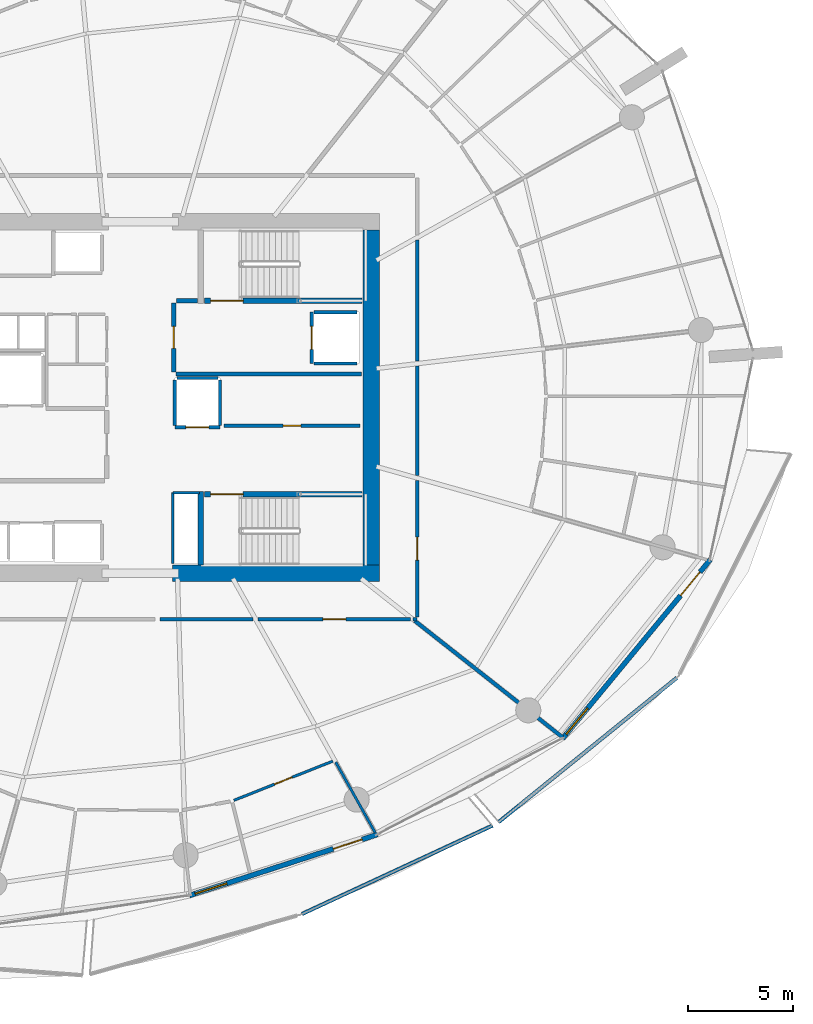
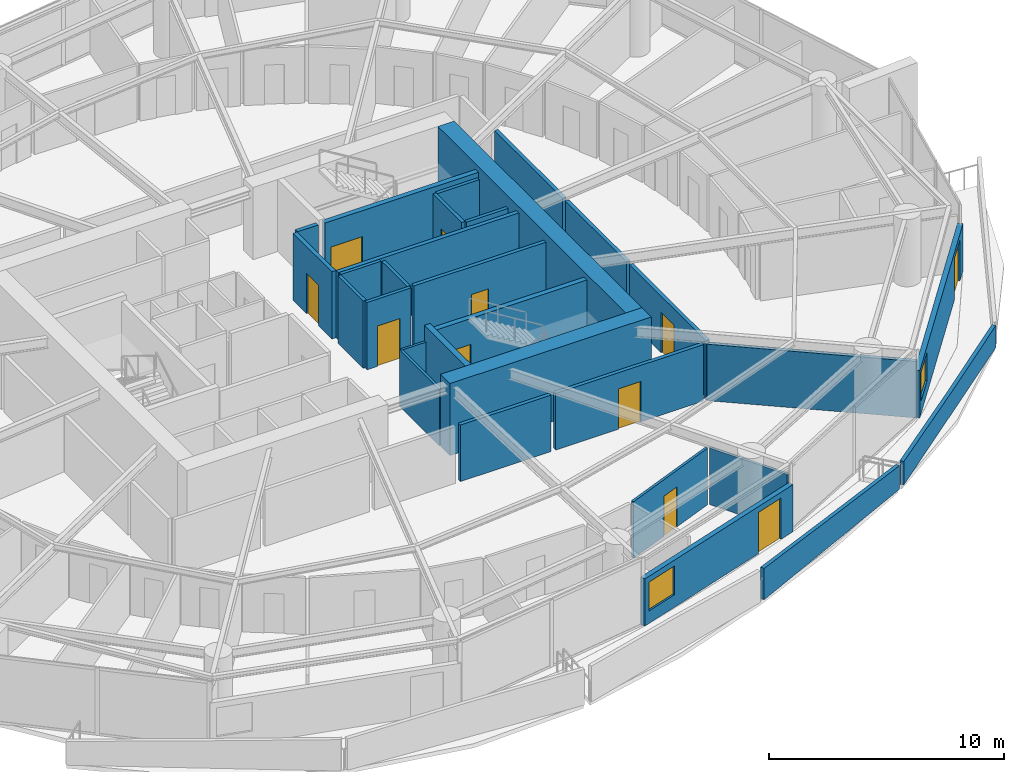
# One storey, part 13 of 23: 31 walls, 11 doors, 2 windows, 13 openings.
"""IFC4 building model written with IfcOpenShell, lengths in metres."""

from ifc_helpers import new_model, si_unit, direction, frame, frame_2d, origin, place, context, subcontext, project, spatial, polyline, rectangle, outline, extrude, material, layer, layer_set, type_object, element, fill, save


model = new_model("IFC4")

# Units and contexts
model_context = context("Model", 3, precision=1e-05, world=origin(), true_north=direction((0.0, 1.0)))
body_context = subcontext(model_context, "Body", "Model", "MODEL_VIEW")
ifc_project = project(units=[si_unit("LENGTHUNIT", "METRE"), si_unit("AREAUNIT", "SQUARE_METRE"), si_unit("VOLUMEUNIT", "CUBIC_METRE"), si_unit("PLANEANGLEUNIT", "RADIAN"), si_unit("MASSUNIT", "GRAM", prefix="KILO")], contexts=[model_context])

# Site, building, storey
site_placement = place(None, origin())
site = spatial("IfcSite", under=ifc_project, at=site_placement, CompositionType="ELEMENT")
building_placement = place(site_placement, origin())
building = spatial("IfcBuilding", under=site, at=building_placement, Name="Kazma Halo Residences", CompositionType="ELEMENT")
storey_placement = place(building_placement, frame((0.0, 0.0, 108.89990234375)))
storey = spatial("IfcBuildingStorey", under=building, at=storey_placement, Name="L27", CompositionType="ELEMENT", Elevation=108.89990234375)

# Walls
ifc_material_1 = material(Name="White Concrete C50/60 Balustrade", Category="concrete")
ifc_layer_1 = layer(ifc_material_1, 0.179931640625)
ifc_layer_set_1 = layer_set([ifc_layer_1], Name="White Concrete C50/60 Balustrade")
wall_type_1 = type_object("IfcWallType", Name="WL-BAL-WAVE-180", PredefinedType="PARAPET", material=ifc_layer_set_1)
wall_1_placement = place(storey_placement, frame((56.1435546875, 17.32177734375, 0.0), z_axis=(0.0, 0.0, 1.0), x_axis=(0.907065674135, 0.420989148086, 0.0)))
element("IfcWall", 1, at=wall_1_placement, inside=storey, type_object=wall_type_1, Name="L27 white wave balustrade wall SSE.2", PredefinedType="PARAPET", context=body_context, shape_type="SweptSolid", body=[
    extrude(outline(polyline([(0.0, 0.0), (10.041259765625, 0.0), (10.04150390625, 1.233154296875), (5.020751953125, 1.418212890625), (0.0, 1.632080078125), (0.0, 0.0)])), frame((0.0, 0.08984375, 0.0), z_axis=(0.0, -1.0, 0.0), x_axis=(1.0, 0.0, 0.0)), (0.0, 0.0, 1.0), 0.179931640625),
])
wall_2_placement = place(storey_placement, frame((65.541015625, 21.714599609375, 0.0), z_axis=(0.0, 0.0, 1.0), x_axis=(0.777242274281, 0.629201436005, 0.0)))
element("IfcWall", 2, at=wall_2_placement, inside=storey, type_object=wall_type_1, Name="L27 white wave balustrade wall SE.1", PredefinedType="PARAPET", context=body_context, shape_type="SweptSolid", body=[
    extrude(outline(polyline([(0.0, 0.0), (10.94873046875, 0.0), (10.94873046875, 1.148193359375), (5.474365234375, 1.127197265625), (0.0, 1.22412109375), (0.0, 0.0)])), frame((0.0, 0.08984375, 0.0), z_axis=(0.0, -1.0, 0.0), x_axis=(1.0, 0.0, 0.0)), (0.0, 0.0, 1.0), 0.179931640625),
])
ifc_material_2 = material(Name="Concrete C80/95", Category="concrete")
ifc_layer_2 = layer(ifc_material_2, 0.800048828125)
ifc_layer_set_2 = layer_set([ifc_layer_2], Name="Concrete C80/95")
wall_type_2 = type_object("IfcWallType", Name="WL-CORE-800", PredefinedType="SHEAR", material=ifc_layer_set_2)
wall_3_placement = place(storey_placement, frame((49.949951171875, 33.60009765625, 0.0), z_axis=(0.0, 0.0, 1.0), x_axis=(1.0, 0.0, 0.0)))
element("IfcWall", 3, at=wall_3_placement, inside=storey, type_object=wall_type_2, Name="L27 central core shear wall SE", PredefinedType="SHEAR", context=body_context, shape_type="SweptSolid", body=[
    extrude(rectangle(XDim=9.900146484375, YDim=0.800048828125, at=frame_2d((4.9501953125, 0.0))), origin(), (0.0, 0.0, 1.0), 3.75),
])
wall_4_placement = place(storey_placement, frame((59.449951171875, 34.0, 0.0), z_axis=(0.0, 0.0, 1.0), x_axis=(0.0, 1.0, 0.0)))
element("IfcWall", 4, at=wall_4_placement, inside=storey, type_object=wall_type_2, Name="L27 central core shear wall E", PredefinedType="SHEAR", context=body_context, shape_type="SweptSolid", body=[
    extrude(rectangle(XDim=16.0, YDim=0.800048828125, at=frame_2d((8.0, 0.0))), origin(), (0.0, 0.0, 1.0), 3.75),
])
ifc_material_3 = material(Name="Concrete C60/75", Category="concrete")
ifc_layer_3 = layer(ifc_material_3, 0.280029296875)
ifc_layer_set_3 = layer_set([ifc_layer_3], Name="Concrete C60/75")
wall_type_3 = type_object("IfcWallType", Name="WL-CORE-ST-280", PredefinedType="SHEAR", material=ifc_layer_set_3)
wall_5_placement = place(storey_placement, frame((51.31005859375, 34.0, 0.0), z_axis=(0.0, 0.0, 1.0), x_axis=(0.0, 1.0, 0.0)))
element("IfcWall", 5, at=wall_5_placement, inside=storey, type_object=wall_type_3, Name="L27 stairwell bearing wall ST03-W", PredefinedType="SHEAR", context=body_context, shape_type="SweptSolid", body=[
    extrude(rectangle(XDim=3.5, YDim=0.280029296875, at=frame_2d((1.75, 0.0))), origin(), (0.0, 0.0, 1.0), 3.75),
])
ifc_material_4 = material(Name="Acoustic Twin-Stud Gypsum")
ifc_layer_4 = layer(ifc_material_4, 0.179931640625)
ifc_layer_set_4 = layer_set([ifc_layer_4], Name="Acoustic Twin-Stud Gypsum")
wall_type_4 = type_object("IfcWallType", Name="WL-DEM-180", PredefinedType="PARTITIONING", material=ifc_layer_set_4)
wall_6_placement = place(storey_placement, frame((61.532470703125, 31.331787109375, 0.0), z_axis=(0.0, 0.0, 1.0), x_axis=(0.785307944478, -0.619105348337, 0.0)))
element("IfcWall", 6, at=wall_6_placement, inside=storey, type_object=wall_type_4, Name="L27 apartment demising radial wall 13", PredefinedType="PARTITIONING", context=body_context, shape_type="SweptSolid", body=[
    extrude(rectangle(XDim=9.006103515625, YDim=0.179931640625, at=frame_2d((4.5029296875, 0.0))), origin(), (0.0, 0.0, 1.0), 2.940185546875),
])

# Wall, opening, door
wall_7_placement = place(storey_placement, frame((54.056396484375, 31.39990234375, 0.0), z_axis=(0.0, 0.0, 1.0), x_axis=(1.0, 0.0, 0.0)))
wall_7 = element("IfcWall", 7, at=wall_7_placement, inside=storey, type_object=wall_type_4, Name="L27 Apartment 2 entrance corridor wall", PredefinedType="PARTITIONING", context=body_context, shape_type="SweptSolid", body=[
    extrude(rectangle(XDim=7.26953125, YDim=0.179931640625, at=frame_2d((3.634765625, 0.0))), origin(), (0.0, 0.0, 1.0), 2.940185546875),
])
opening_1_placement = place(wall_7_placement, frame((3.0849609375, 0.0, 0.0)))
opening_1 = element("IfcOpeningElement", 8, at=opening_1_placement, cuts=wall_7, Name="Opening DA-1100", PredefinedType="OPENING", context=body_context, shape_type="SweptSolid", body=[
    extrude(rectangle(XDim=1.10009765625, YDim=2.10009765625, at=frame_2d((0.550048828125, 1.050048828125))), frame((0.0, 0.099853515625, 0.0), z_axis=(0.0, -1.0, 0.0), x_axis=(1.0, 0.0, 0.0)), (0.0, 0.0, 1.0), 0.199951171875),
])
ifc_material_5 = material(Name="Acoustic Walnut Fire Leaf")
door_type_1 = type_object("IfcDoorType", Name="DR-FD60-1100", OperationType="NOTDEFINED", PredefinedType="DOOR", material=ifc_material_5)
door_1_placement = place(opening_1_placement, origin())
door_1 = element("IfcDoor", 9, at=door_1_placement, inside=storey, type_object=door_type_1, Name="L27 Apartment 2 entrance fire door", OperationType="SINGLE_SWING_RIGHT", OverallHeight=2.10009765625, OverallWidth=1.10009765625, PredefinedType="DOOR", context=body_context, shape_type="SweptSolid", body=[
    extrude(rectangle(XDim=1.10009765625, YDim=2.10009765625, at=frame_2d((0.550048828125, 1.050048828125))), frame((0.0, 0.02490234375, 0.0), z_axis=(0.0, -1.0, 0.0), x_axis=(1.0, 0.0, 0.0)), (0.0, 0.0, 1.0), 0.050048828125),
])
fill(opening_1, door_1)

# Walls
wall_8_placement = place(storey_placement, frame((49.37451171875, 31.39990234375, 0.0), z_axis=(0.0, 0.0, 1.0), x_axis=(1.0, 0.0, 0.0)))
element("IfcWall", 10, at=wall_8_placement, inside=storey, type_object=wall_type_4, Name="L27 Apartment 2 inner wall 11", PredefinedType="PARTITIONING", context=body_context, shape_type="SweptSolid", body=[
    extrude(rectangle(XDim=4.44189453125, YDim=0.179931640625, at=frame_2d((2.220947265625, 0.0))), origin(), (0.0, 0.0, 1.0), 2.940185546875),
])
wall_9_placement = place(storey_placement, frame((61.446044921875, 31.39990234375, 0.0), z_axis=(0.0, 0.0, 1.0), x_axis=(1.0, 0.0, 0.0)))
element("IfcWall", 11, at=wall_9_placement, inside=storey, type_object=wall_type_4, Name="L27 Apartment 3 entrance corridor wall", PredefinedType="PARTITIONING", context=body_context, shape_type="SweptSolid", body=[
    extrude(rectangle(XDim=0.203857421875, YDim=0.179931640625, at=frame_2d((0.10205078125, 0.0))), origin(), (0.0, 0.0, 1.0), 2.940185546875),
])

# Wall, opening, door
wall_10_placement = place(storey_placement, frame((61.64990234375, 31.52001953125, 0.0), z_axis=(0.0, 0.0, 1.0), x_axis=(0.0, 1.0, 0.0)))
wall_10 = element("IfcWall", 12, at=wall_10_placement, inside=storey, type_object=wall_type_4, Name="L27 Apartment 3 entrance corridor wall", PredefinedType="PARTITIONING", context=body_context, shape_type="SweptSolid", body=[
    extrude(rectangle(XDim=6.51025390625, YDim=0.179931640625, at=frame_2d((3.255126953125, 0.0))), origin(), (0.0, 0.0, 1.0), 2.940185546875),
])
opening_2_placement = place(wall_10_placement, frame((2.705078125, 0.0, 0.0)))
opening_2 = element("IfcOpeningElement", 13, at=opening_2_placement, cuts=wall_10, Name="Opening DA-1100", PredefinedType="OPENING", context=body_context, shape_type="SweptSolid", body=[
    extrude(rectangle(XDim=1.10009765625, YDim=2.10009765625, at=frame_2d((0.550048828125, 1.050048828125))), frame((0.0, 0.099853515625, 0.0), z_axis=(0.0, -1.0, 0.0), x_axis=(1.0, 0.0, 0.0)), (0.0, 0.0, 1.0), 0.199951171875),
])
door_2_placement = place(opening_2_placement, origin())
door_2 = element("IfcDoor", 14, at=door_2_placement, inside=storey, type_object=door_type_1, Name="L27 Apartment 3 entrance fire door", OperationType="SINGLE_SWING_LEFT", OverallHeight=2.10009765625, OverallWidth=1.10009765625, PredefinedType="DOOR", context=body_context, shape_type="SweptSolid", body=[
    extrude(rectangle(XDim=1.10009765625, YDim=2.10009765625, at=frame_2d((0.550048828125, 1.050048828125))), frame((0.0, 0.02490234375, 0.0), z_axis=(0.0, -1.0, 0.0), x_axis=(1.0, 0.0, 0.0)), (0.0, 0.0, 1.0), 0.050048828125),
])
fill(opening_2, door_2)

# Walls
wall_11_placement = place(storey_placement, frame((61.64990234375, 38.270263671875, 0.0), z_axis=(0.0, 0.0, 1.0), x_axis=(0.0, 1.0, 0.0)))
element("IfcWall", 15, at=wall_11_placement, inside=storey, type_object=wall_type_4, Name="L27 Apartment 3 inner wall 14", PredefinedType="PARTITIONING", context=body_context, shape_type="SweptSolid", body=[
    extrude(rectangle(XDim=5.225341796875, YDim=0.179931640625, at=frame_2d((2.61279296875, 0.0))), origin(), (0.0, 0.0, 1.0), 2.940185546875),
])
wall_12_placement = place(storey_placement, frame((61.64990234375, 43.735595703125, 0.0), z_axis=(0.0, 0.0, 1.0), x_axis=(0.0, 1.0, 0.0)))
element("IfcWall", 16, at=wall_12_placement, inside=storey, type_object=wall_type_4, Name="L27 Apartment 3 inner wall 15", PredefinedType="PARTITIONING", context=body_context, shape_type="SweptSolid", body=[
    extrude(rectangle(XDim=5.788818359375, YDim=0.179931640625, at=frame_2d((2.89453125, 0.0))), origin(), (0.0, 0.0, 1.0), 2.940185546875),
])

# Wall, openings, door, window
ifc_material_6 = material(Name="Insulated Pale-Metal Composite Wall")
ifc_layer_5 = layer(ifc_material_6, 0.239990234375)
ifc_layer_set_5 = layer_set([ifc_layer_5], Name="Insulated Pale-Metal Composite Wall")
wall_type_5 = type_object("IfcWallType", Name="WL-EXT-HOST-240", PredefinedType="SOLIDWALL", material=ifc_layer_set_5)
wall_13_placement = place(storey_placement, frame((50.76708984375, 18.202880859375, 0.0), z_axis=(0.0, 0.0, 1.0), x_axis=(0.951052494852, 0.30902937083, 0.0)))
wall_13 = element("IfcWall", 17, at=wall_13_placement, inside=storey, type_object=wall_type_5, Name="L27 exterior terrace-access wall B12", PredefinedType="SOLIDWALL", context=body_context, shape_type="SweptSolid", body=[
    extrude(rectangle(XDim=9.44384765625, YDim=0.239990234375, at=frame_2d((4.721923828125, 0.0))), origin(), (0.0, 0.0, 1.0), 2.4501953125),
])
opening_3_placement = place(wall_13_placement, frame((7.223876953125, 0.0, 0.0)))
opening_3 = element("IfcOpeningElement", 18, at=opening_3_placement, cuts=wall_13, Name="Opening DTR-1600", PredefinedType="OPENING", context=body_context, shape_type="SweptSolid", body=[
    extrude(rectangle(XDim=1.449951171875, YDim=2.14990234375, at=frame_2d((0.72509765625, 1.074951171875))), frame((0.0, 0.1298828125, 0.0), z_axis=(0.0, -1.0, 0.0), x_axis=(1.0, 0.0, 0.0)), (0.0, 0.0, 1.0), 0.260009765625),
])
opening_4_placement = place(wall_13_placement, frame((0.280029296875, 0.0, 0.64990234375)))
opening_4 = element("IfcOpeningElement", 19, at=opening_4_placement, cuts=wall_13, Name="Opening W-1800", PredefinedType="OPENING", context=body_context, shape_type="SweptSolid", body=[
    extrude(rectangle(XDim=1.60009765625, YDim=1.5, at=frame_2d((0.800048828125, 0.75))), frame((0.0, 0.1298828125, 0.0), z_axis=(0.0, -1.0, 0.0), x_axis=(1.0, 0.0, 0.0)), (0.0, 0.0, 1.0), 0.260009765625),
])
ifc_material_7 = material(Name="Aluminium AW-6063 T6 Double-Glazed Terrace Door", Category="aluminium")
door_type_2 = type_object("IfcDoorType", Name="DR-EXT-TERR-1600", OperationType="NOTDEFINED", PredefinedType="DOOR", material=ifc_material_7)
door_3_placement = place(opening_3_placement, origin())
door_3 = element("IfcDoor", 20, at=door_3_placement, inside=storey, type_object=door_type_2, Name="L27 B12 balcony terrace door", OperationType="DOUBLE_DOOR_SLIDING", OverallHeight=2.14990234375, OverallWidth=1.449951171875, PredefinedType="DOOR", context=body_context, shape_type="SweptSolid", body=[
    extrude(rectangle(XDim=1.449951171875, YDim=2.14990234375, at=frame_2d((0.72509765625, 1.074951171875))), frame((0.0, 0.02490234375, 0.0), z_axis=(0.0, -1.0, 0.0), x_axis=(1.0, 0.0, 0.0)), (0.0, 0.0, 1.0), 0.050048828125),
])
fill(opening_3, door_3)
ifc_material_8 = material(Name="Clear Triple-Silver Low-E Glass in Aluminium AW-6063 T6 Frame", Category="aluminium")
window_type = type_object("IfcWindowType", Name="WIN-RES-1800", PartitioningType="DOUBLE_PANEL_VERTICAL", PredefinedType="WINDOW", material=ifc_material_8)
window_1_placement = place(opening_4_placement, origin())
window_1 = element("IfcWindow", 21, at=window_1_placement, inside=storey, type_object=window_type, Name="L27 B12 apartment window", OverallHeight=1.5, OverallWidth=1.60009765625, PartitioningType="SINGLE_PANEL", PredefinedType="WINDOW", context=body_context, shape_type="SweptSolid", body=[
    extrude(rectangle(XDim=1.60009765625, YDim=1.5, at=frame_2d((0.800048828125, 0.75))), frame((0.0, 0.030029296875, 0.0), z_axis=(0.0, -1.0, 0.0), x_axis=(1.0, 0.0, 0.0)), (0.0, 0.0, 1.0), 0.06005859375),
])
fill(opening_4, window_1)

wall_14_placement = place(storey_placement, frame((68.593017578125, 25.7021484375, 0.0), z_axis=(0.0, 0.0, 1.0), x_axis=(0.636704975, 0.771107498868, 0.0)))
wall_14 = element("IfcWall", 22, at=wall_14_placement, inside=storey, type_object=wall_type_5, Name="L27 exterior terrace-access wall B14", PredefinedType="SOLIDWALL", context=body_context, shape_type="SweptSolid", body=[
    extrude(rectangle(XDim=11.084228515625, YDim=0.239990234375, at=frame_2d((5.5419921875, 0.0))), origin(), (0.0, 0.0, 1.0), 2.4501953125),
])
opening_5_placement = place(wall_14_placement, frame((8.8642578125, 0.0, 0.0)))
opening_5 = element("IfcOpeningElement", 23, at=opening_5_placement, cuts=wall_14, Name="Opening DTR-1600", PredefinedType="OPENING", context=body_context, shape_type="SweptSolid", body=[
    extrude(rectangle(XDim=1.449951171875, YDim=2.14990234375, at=frame_2d((0.72509765625, 1.074951171875))), frame((0.0, 0.1298828125, 0.0), z_axis=(0.0, -1.0, 0.0), x_axis=(1.0, 0.0, 0.0)), (0.0, 0.0, 1.0), 0.260009765625),
])
opening_6_placement = place(wall_14_placement, frame((0.280029296875, 0.0, 0.64990234375)))
opening_6 = element("IfcOpeningElement", 24, at=opening_6_placement, cuts=wall_14, Name="Opening W-1800", PredefinedType="OPENING", context=body_context, shape_type="SweptSolid", body=[
    extrude(rectangle(XDim=1.60009765625, YDim=1.5, at=frame_2d((0.800048828125, 0.75))), frame((0.0, 0.1298828125, 0.0), z_axis=(0.0, -1.0, 0.0), x_axis=(1.0, 0.0, 0.0)), (0.0, 0.0, 1.0), 0.260009765625),
])
door_4_placement = place(opening_5_placement, origin())
door_4 = element("IfcDoor", 25, at=door_4_placement, inside=storey, type_object=door_type_2, Name="L27 B14 balcony terrace door", OperationType="DOUBLE_DOOR_SLIDING", OverallHeight=2.14990234375, OverallWidth=1.449951171875, PredefinedType="DOOR", context=body_context, shape_type="SweptSolid", body=[
    extrude(rectangle(XDim=1.449951171875, YDim=2.14990234375, at=frame_2d((0.72509765625, 1.074951171875))), frame((0.0, 0.02490234375, 0.0), z_axis=(0.0, -1.0, 0.0), x_axis=(1.0, 0.0, 0.0)), (0.0, 0.0, 1.0), 0.050048828125),
])
fill(opening_5, door_4)
window_2_placement = place(opening_6_placement, origin())
window_2 = element("IfcWindow", 26, at=window_2_placement, inside=storey, type_object=window_type, Name="L27 B14 apartment window", OverallHeight=1.5, OverallWidth=1.60009765625, PartitioningType="SINGLE_PANEL", PredefinedType="WINDOW", context=body_context, shape_type="SweptSolid", body=[
    extrude(rectangle(XDim=1.60009765625, YDim=1.5, at=frame_2d((0.800048828125, 0.75))), frame((0.0, 0.030029296875, 0.0), z_axis=(0.0, -1.0, 0.0), x_axis=(1.0, 0.0, 0.0)), (0.0, 0.0, 1.0), 0.06005859375),
])
fill(opening_6, window_2)

# Wall, opening, door
ifc_material_9 = material(Name="Fire-Rated Blockwork Masonry", Category="masonry")
ifc_layer_6 = layer(ifc_material_9, 0.199951171875)
ifc_layer_set_6 = layer_set([ifc_layer_6], Name="Fire-Rated Blockwork Masonry")
wall_type_6 = type_object("IfcWallType", Name="WL-FLB-200", PredefinedType="PARTITIONING", material=ifc_layer_set_6)
wall_15_placement = place(storey_placement, frame((56.6201171875, 46.080078125, 0.0), z_axis=(0.0, 0.0, 1.0), x_axis=(0.0, -1.0, 0.0)))
wall_15 = element("IfcWall", 27, at=wall_15_placement, inside=storey, type_object=wall_type_6, Name="L27 lift shaft FL-02 front wall", PredefinedType="PARTITIONING", context=body_context, shape_type="SweptSolid", body=[
    extrude(rectangle(XDim=2.4599609375, YDim=0.159912109375, at=frame_2d((1.22998046875, 0.0))), origin(), (0.0, 0.0, 1.0), 3.5),
])
opening_7_placement = place(wall_15_placement, frame((0.679931640625, 0.0, 0.0)))
opening_7 = element("IfcOpeningElement", 28, at=opening_7_placement, cuts=wall_15, Name="Opening LD-FL-02", PredefinedType="OPENING", context=body_context, shape_type="SweptSolid", body=[
    extrude(rectangle(XDim=1.10009765625, YDim=2.10009765625, at=frame_2d((0.550048828125, 1.050048828125))), frame((0.0, 0.08984375, 0.0), z_axis=(0.0, -1.0, 0.0), x_axis=(1.0, 0.0, 0.0)), (0.0, 0.0, 1.0), 0.179931640625),
])
ifc_material_10 = material(Name="Stainless Steel Fire-Rated", Category="steel")
door_type_3 = type_object("IfcDoorType", Name="DR-LIFT-SLD-1100", OperationType="DOUBLE_DOOR_SLIDING", PredefinedType="DOOR", material=ifc_material_10)
door_5_placement = place(opening_7_placement, origin())
door_5 = element("IfcDoor", 29, at=door_5_placement, inside=storey, type_object=door_type_3, Name="L27 lift FL-02 sliding landing door", OperationType="DOUBLE_DOOR_SLIDING", OverallHeight=2.10009765625, OverallWidth=1.10009765625, PredefinedType="DOOR", context=body_context, shape_type="SweptSolid", body=[
    extrude(rectangle(XDim=1.10009765625, YDim=2.10009765625, at=frame_2d((0.550048828125, 1.050048828125))), frame((0.0, 0.02490234375, 0.0), z_axis=(0.0, -1.0, 0.0), x_axis=(1.0, 0.0, 0.0)), (0.0, 0.0, 1.0), 0.050048828125),
])
fill(opening_7, door_5)

# Walls
for number, where, z_axis, x_axis, name in (
    (30, (56.719970703125, 46.080078125, 0.0), (0.0, 0.0, 1.0), (1.0, 0.0, 0.0), "L27 lift shaft FL-02 side wall N"),
    (31, (56.719970703125, 43.6201171875, 0.0), (0.0, 0.0, 1.0), (1.0, 0.0, 0.0), "L27 lift shaft FL-02 side wall S"),
):
    element("IfcWall", number, at=place(storey_placement, frame(where, z_axis=z_axis, x_axis=x_axis)), inside=storey, type_object=wall_type_6, Name=name, PredefinedType="PARTITIONING", context=body_context, shape_type="SweptSolid", body=[
        extrude(rectangle(XDim=2.06005859375, YDim=0.159912109375, at=frame_2d((1.030029296875, 0.0))), origin(), (0.0, 0.0, 1.0), 3.5),
    ])

# Wall, opening, door
wall_16_placement = place(storey_placement, frame((52.22998046875, 40.570068359375, 0.0), z_axis=(0.0, 0.0, 1.0), x_axis=(-1.0, 0.0, 0.0)))
wall_16 = element("IfcWall", 32, at=wall_16_placement, inside=storey, type_object=wall_type_6, Name="L27 lift shaft SV-01 front wall", PredefinedType="PARTITIONING", context=body_context, shape_type="SweptSolid", body=[
    extrude(rectangle(XDim=2.159912109375, YDim=0.159912109375, at=frame_2d((1.080078125, 0.0))), origin(), (0.0, 0.0, 1.0), 3.5),
])
opening_8_placement = place(wall_16_placement, frame((0.530029296875, 0.0, 0.0)))
opening_8 = element("IfcOpeningElement", 33, at=opening_8_placement, cuts=wall_16, Name="Opening LD-SV-01", PredefinedType="OPENING", context=body_context, shape_type="SweptSolid", body=[
    extrude(rectangle(XDim=1.10009765625, YDim=2.10009765625, at=frame_2d((0.550048828125, 1.050048828125))), frame((0.0, 0.08984375, 0.0), z_axis=(0.0, -1.0, 0.0), x_axis=(1.0, 0.0, 0.0)), (0.0, 0.0, 1.0), 0.179931640625),
])
door_6_placement = place(opening_8_placement, origin())
door_6 = element("IfcDoor", 34, at=door_6_placement, inside=storey, type_object=door_type_3, Name="L27 lift SV-01 sliding landing door", OperationType="DOUBLE_DOOR_SLIDING", OverallHeight=2.10009765625, OverallWidth=1.10009765625, PredefinedType="DOOR", context=body_context, shape_type="SweptSolid", body=[
    extrude(rectangle(XDim=1.10009765625, YDim=2.10009765625, at=frame_2d((0.550048828125, 1.050048828125))), frame((0.0, 0.02490234375, 0.0), z_axis=(0.0, -1.0, 0.0), x_axis=(1.0, 0.0, 0.0)), (0.0, 0.0, 1.0), 0.050048828125),
])
fill(opening_8, door_6)

# Walls
for number, where, z_axis, x_axis, name in (
    (35, (52.22998046875, 40.669921875, 0.0), (0.0, 0.0, 1.0), (0.0, 1.0, 0.0), "L27 lift shaft SV-01 side wall E"),
    (36, (50.070068359375, 40.669921875, 0.0), (0.0, 0.0, 1.0), (0.0, 1.0, 0.0), "L27 lift shaft SV-01 side wall W"),
):
    element("IfcWall", number, at=place(storey_placement, frame(where, z_axis=z_axis, x_axis=x_axis)), inside=storey, type_object=wall_type_6, Name=name, PredefinedType="PARTITIONING", context=body_context, shape_type="SweptSolid", body=[
        extrude(rectangle(XDim=2.16015625, YDim=0.159912109375, at=frame_2d((1.080078125, 0.0))), origin(), (0.0, 0.0, 1.0), 3.5),
    ])
wall_17_placement = place(storey_placement, frame((50.169921875, 42.929931640625, 0.0), z_axis=(0.0, 0.0, 1.0), x_axis=(1.0, 0.0, 0.0)))
element("IfcWall", 37, at=wall_17_placement, inside=storey, type_object=wall_type_6, Name="L27 lift shaft SV-01 side wall N", PredefinedType="PARTITIONING", context=body_context, shape_type="SweptSolid", body=[
    extrude(rectangle(XDim=1.9599609375, YDim=0.159912109375, at=frame_2d((0.97998046875, 0.0))), origin(), (0.0, 0.0, 1.0), 3.5),
])

# Wall, opening, door
wall_18_placement = place(storey_placement, frame((52.419921875, 40.64990234375, 0.0), z_axis=(0.0, 0.0, 1.0), x_axis=(1.0, 0.0, 0.0)))
wall_18 = element("IfcWall", 38, at=wall_18_placement, inside=storey, type_object=wall_type_6, Name="L27 core east reserve wall", PredefinedType="PARTITIONING", context=body_context, shape_type="SweptSolid", body=[
    extrude(rectangle(XDim=6.5, YDim=0.179931640625, at=frame_2d((3.25, 0.0))), origin(), (0.0, 0.0, 1.0), 3.5),
])
opening_9_placement = place(wall_18_placement, frame((2.824951171875, 0.0, 0.0)))
opening_9 = element("IfcOpeningElement", 39, at=opening_9_placement, cuts=wall_18, Name="Opening DS-850", PredefinedType="OPENING", context=body_context, shape_type="SweptSolid", body=[
    extrude(rectangle(XDim=0.85009765625, YDim=2.06005859375, at=frame_2d((0.425048828125, 1.030029296875))), frame((0.0, 0.099853515625, 0.0), z_axis=(0.0, -1.0, 0.0), x_axis=(1.0, 0.0, 0.0)), (0.0, 0.0, 1.0), 0.199951171875),
])
ifc_material_11 = material(Name="Painted Steel Access Leaf", Category="steel")
door_type_4 = type_object("IfcDoorType", Name="DR-SVC-850", OperationType="NOTDEFINED", PredefinedType="DOOR", material=ifc_material_11)
door_7_placement = place(opening_9_placement, origin())
door_7 = element("IfcDoor", 40, at=door_7_placement, inside=storey, type_object=door_type_4, Name="L27 core east reserve door", OperationType="SINGLE_SWING_RIGHT", OverallHeight=2.06005859375, OverallWidth=0.85009765625, PredefinedType="DOOR", context=body_context, shape_type="SweptSolid", body=[
    extrude(rectangle(XDim=0.85009765625, YDim=2.06005859375, at=frame_2d((0.425048828125, 1.030029296875))), frame((0.0, 0.02490234375, 0.0), z_axis=(0.0, -1.0, 0.0), x_axis=(1.0, 0.0, 0.0)), (0.0, 0.0, 1.0), 0.050048828125),
])
fill(opening_9, door_7)

# Walls
wall_19_placement = place(storey_placement, frame((50.1201171875, 43.1201171875, 0.0), z_axis=(0.0, 0.0, 1.0), x_axis=(1.0, 0.0, 0.0)))
element("IfcWall", 41, at=wall_19_placement, inside=storey, type_object=wall_type_6, Name="L27 east firefighting lobby south smoke wall", PredefinedType="PARTITIONING", context=body_context, shape_type="SweptSolid", body=[
    extrude(rectangle(XDim=8.8798828125, YDim=0.199951171875, at=frame_2d((4.43994140625, 0.0))), origin(), (0.0, 0.0, 1.0), 3.5),
])
wall_20_placement = place(storey_placement, frame((50.139892578125, 46.6201171875, 0.0), z_axis=(0.0, 0.0, 1.0), x_axis=(1.0, 0.0, 0.0)))
element("IfcWall", 42, at=wall_20_placement, inside=storey, type_object=wall_type_6, Name="L27 east firefighting lobby north closure wall", PredefinedType="PARTITIONING", context=body_context, shape_type="SweptSolid", body=[
    extrude(rectangle(XDim=1.02001953125, YDim=0.199951171875, at=frame_2d((0.510009765625, 0.0))), origin(), (0.0, 0.0, 1.0), 3.5),
])

# Wall, opening, door
wall_21_placement = place(storey_placement, frame((50.02001953125, 43.219970703125, 0.0), z_axis=(0.0, 0.0, 1.0), x_axis=(0.0, 1.0, 0.0)))
wall_21 = element("IfcWall", 43, at=wall_21_placement, inside=storey, type_object=wall_type_6, Name="L27 east firefighting lobby smoke wall", PredefinedType="PARTITIONING", context=body_context, shape_type="SweptSolid", body=[
    extrude(rectangle(XDim=3.300048828125, YDim=0.199951171875, at=frame_2d((1.64990234375, 0.0))), origin(), (0.0, 0.0, 1.0), 3.5),
])
opening_10_placement = place(wall_21_placement, frame((1.125, 0.0, 0.0)))
opening_10 = element("IfcOpeningElement", 44, at=opening_10_placement, cuts=wall_21, Name="Opening D-FLE", PredefinedType="OPENING", context=body_context, shape_type="SweptSolid", body=[
    extrude(rectangle(XDim=1.050048828125, YDim=2.10009765625, at=frame_2d((0.52490234375, 1.050048828125))), frame((0.0, 0.10986328125, 0.0), z_axis=(0.0, -1.0, 0.0), x_axis=(1.0, 0.0, 0.0)), (0.0, 0.0, 1.0), 0.219970703125),
])
ifc_material_12 = material(Name="Fire-Rated Steel Leaf", Category="steel")
door_type_5 = type_object("IfcDoorType", Name="DR-FD90-1050", OperationType="NOTDEFINED", PredefinedType="DOOR", material=ifc_material_12)
door_8_placement = place(opening_10_placement, origin())
door_8 = element("IfcDoor", 45, at=door_8_placement, inside=storey, type_object=door_type_5, Name="L27 east firefighting lobby smoke door", OperationType="SINGLE_SWING_LEFT", OverallHeight=2.10009765625, OverallWidth=1.050048828125, PredefinedType="DOOR", context=body_context, shape_type="SweptSolid", body=[
    extrude(rectangle(XDim=1.050048828125, YDim=2.10009765625, at=frame_2d((0.52490234375, 1.050048828125))), frame((0.0, 0.02490234375, 0.0), z_axis=(0.0, -1.0, 0.0), x_axis=(1.0, 0.0, 0.0)), (0.0, 0.0, 1.0), 0.050048828125),
])
fill(opening_10, door_8)

# Walls
ifc_material_13 = material(Name="Gypsum Plasterboard Partition")
ifc_layer_7 = layer(ifc_material_13, 0.125)
ifc_layer_set_7 = layer_set([ifc_layer_7], Name="Gypsum Plasterboard Partition")
wall_type_7 = type_object("IfcWallType", Name="WL-PART-125", PredefinedType="PARTITIONING", material=ifc_layer_set_7)
wall_22_placement = place(storey_placement, frame((49.97998046875, 34.06005859375, 0.0), z_axis=(0.0, 0.0, 1.0), x_axis=(0.0, 1.0, 0.0)))
element("IfcWall", 46, at=wall_22_placement, inside=storey, type_object=wall_type_7, Name="L27 standpipe riser wall", PredefinedType="PARTITIONING", context=body_context, shape_type="SweptSolid", body=[
    extrude(rectangle(XDim=3.39990234375, YDim=0.125, at=frame_2d((1.699951171875, 0.0))), origin(), (0.0, 0.0, 1.0), 2.940185546875),
])
wall_23_placement = place(storey_placement, frame((49.97998046875, 37.43994140625, 0.0), z_axis=(0.0, 0.0, 1.0), x_axis=(1.0, 0.0, 0.0)))
element("IfcWall", 47, at=wall_23_placement, inside=storey, type_object=wall_type_7, Name="L27 standpipe riser north wall", PredefinedType="PARTITIONING", context=body_context, shape_type="SweptSolid", body=[
    extrude(rectangle(XDim=1.260009765625, YDim=0.125, at=frame_2d((0.6298828125, 0.0))), origin(), (0.0, 0.0, 1.0), 2.940185546875),
])
wall_24_placement = place(storey_placement, frame((57.7587890625, 24.57470703125, 0.0), z_axis=(0.0, 0.0, 1.0), x_axis=(0.488595646066, -0.87251034071, 0.0)))
element("IfcWall", 48, at=wall_24_placement, inside=storey, type_object=wall_type_7, Name="L27 Apartment 2 living radial partition 11", PredefinedType="PARTITIONING", context=body_context, shape_type="SweptSolid", body=[
    extrude(rectangle(XDim=3.8505859375, YDim=0.125, at=frame_2d((1.92529296875, 0.0))), origin(), (0.0, 0.0, 1.0), 2.940185546875),
])

# Wall, opening, door
wall_25_placement = place(storey_placement, frame((52.889404296875, 22.751220703125, 0.0), z_axis=(0.0, 0.0, 1.0), x_axis=(0.929640857273, 0.368466927266, 0.0)))
wall_25 = element("IfcWall", 49, at=wall_25_placement, inside=storey, type_object=wall_type_7, Name="L27 Apartment 2 Corner Master Bedroom hall wall", PredefinedType="PARTITIONING", context=body_context, shape_type="SweptSolid", body=[
    extrude(rectangle(XDim=5.08544921875, YDim=0.125, at=frame_2d((2.542724609375, 0.0))), origin(), (0.0, 0.0, 1.0), 2.940185546875),
])
opening_11_placement = place(wall_25_placement, frame((2.092529296875, 0.0, 0.0)))
opening_11 = element("IfcOpeningElement", 50, at=opening_11_placement, cuts=wall_25, Name="Opening DI-950", PredefinedType="OPENING", context=body_context, shape_type="SweptSolid", body=[
    extrude(rectangle(XDim=0.89990234375, YDim=2.080078125, at=frame_2d((0.449951171875, 1.0400390625))), frame((0.0, 0.072509765625, 0.0), z_axis=(0.0, -1.0, 0.0), x_axis=(1.0, 0.0, 0.0)), (0.0, 0.0, 1.0), 0.14501953125),
])
ifc_material_14 = material(Name="Timber Veneer Flush Leaf", Category="wood")
door_type_6 = type_object("IfcDoorType", Name="DR-INT-950", OperationType="NOTDEFINED", PredefinedType="DOOR", material=ifc_material_14)
door_9_placement = place(opening_11_placement, origin())
door_9 = element("IfcDoor", 51, at=door_9_placement, inside=storey, type_object=door_type_6, Name="L27 Apartment 2 Corner Master Bedroom door", OperationType="SINGLE_SWING_LEFT", OverallHeight=2.080078125, OverallWidth=0.89990234375, PredefinedType="DOOR", context=body_context, shape_type="SweptSolid", body=[
    extrude(rectangle(XDim=0.89990234375, YDim=2.080078125, at=frame_2d((0.449951171875, 1.0400390625))), frame((0.0, 0.02490234375, 0.0), z_axis=(0.0, -1.0, 0.0), x_axis=(1.0, 0.0, 0.0)), (0.0, 0.0, 1.0), 0.050048828125),
])
fill(opening_11, door_9)

ifc_material_15 = material(Name="Concrete C50/60", Category="concrete")
ifc_layer_8 = layer(ifc_material_15, 0.25)
ifc_layer_set_8 = layer_set([ifc_layer_8], Name="Concrete C50/60")
wall_type_8 = type_object("IfcWallType", Name="WL-SHF-250", PredefinedType="SOLIDWALL", material=ifc_layer_set_8)
wall_26_placement = place(storey_placement, frame((51.47998046875, 46.6201171875, 0.0), z_axis=(0.0, 0.0, 1.0), x_axis=(1.0, 0.0, 0.0)))
wall_26 = element("IfcWall", 52, at=wall_26_placement, inside=storey, type_object=wall_type_8, Name="L27 exit stair ST-02 enclosure wall", PredefinedType="SOLIDWALL", context=body_context, shape_type="SweptSolid", body=[
    extrude(rectangle(XDim=7.5400390625, YDim=0.25, at=frame_2d((3.77001953125, 0.0))), origin(), (0.0, 0.0, 1.0), 3.5),
])
opening_12_placement = place(wall_26_placement, frame((0.300048828125, 0.0, 0.0)))
opening_12 = element("IfcOpeningElement", 53, at=opening_12_placement, cuts=wall_26, Name="Opening D-ST2", PredefinedType="OPENING", context=body_context, shape_type="SweptSolid", body=[
    extrude(rectangle(XDim=1.550048828125, YDim=2.14990234375, at=frame_2d((0.77490234375, 1.074951171875))), frame((0.0, 0.135009765625, 0.0), z_axis=(0.0, -1.0, 0.0), x_axis=(1.0, 0.0, 0.0)), (0.0, 0.0, 1.0), 0.27001953125),
])
ifc_material_16 = material(Name="Fire-Rated Double Steel Leaf", Category="steel")
door_type_7 = type_object("IfcDoorType", Name="DR-FD90-1550", OperationType="NOTDEFINED", PredefinedType="DOOR", material=ifc_material_16)
door_10_placement = place(opening_12_placement, origin())
door_10 = element("IfcDoor", 54, at=door_10_placement, inside=storey, type_object=door_type_7, Name="L27 exit stair ST-02 fire door", OperationType="DOUBLE_DOOR_SINGLE_SWING", OverallHeight=2.14990234375, OverallWidth=1.550048828125, PredefinedType="DOOR", context=body_context, shape_type="SweptSolid", body=[
    extrude(rectangle(XDim=1.550048828125, YDim=2.14990234375, at=frame_2d((0.77490234375, 1.074951171875))), frame((0.0, 0.02490234375, 0.0), z_axis=(0.0, -1.0, 0.0), x_axis=(1.0, 0.0, 0.0)), (0.0, 0.0, 1.0), 0.050048828125),
])
fill(opening_12, door_10)

wall_27_placement = place(storey_placement, frame((51.47998046875, 37.3798828125, 0.0), z_axis=(0.0, 0.0, 1.0), x_axis=(1.0, 0.0, 0.0)))
wall_27 = element("IfcWall", 55, at=wall_27_placement, inside=storey, type_object=wall_type_8, Name="L27 exit stair ST-03 enclosure wall", PredefinedType="SOLIDWALL", context=body_context, shape_type="SweptSolid", body=[
    extrude(rectangle(XDim=7.5400390625, YDim=0.25, at=frame_2d((3.77001953125, 0.0))), origin(), (0.0, 0.0, 1.0), 3.5),
])
opening_13_placement = place(wall_27_placement, frame((0.300048828125, 0.0, 0.0)))
opening_13 = element("IfcOpeningElement", 56, at=opening_13_placement, cuts=wall_27, Name="Opening D-ST3", PredefinedType="OPENING", context=body_context, shape_type="SweptSolid", body=[
    extrude(rectangle(XDim=1.550048828125, YDim=2.14990234375, at=frame_2d((0.77490234375, 1.074951171875))), frame((0.0, 0.135009765625, 0.0), z_axis=(0.0, -1.0, 0.0), x_axis=(1.0, 0.0, 0.0)), (0.0, 0.0, 1.0), 0.27001953125),
])
door_11_placement = place(opening_13_placement, origin())
door_11 = element("IfcDoor", 57, at=door_11_placement, inside=storey, type_object=door_type_7, Name="L27 exit stair ST-03 fire door", OperationType="DOUBLE_DOOR_SINGLE_SWING", OverallHeight=2.14990234375, OverallWidth=1.550048828125, PredefinedType="DOOR", context=body_context, shape_type="SweptSolid", body=[
    extrude(rectangle(XDim=1.550048828125, YDim=2.14990234375, at=frame_2d((0.77490234375, 1.074951171875))), frame((0.0, 0.02490234375, 0.0), z_axis=(0.0, -1.0, 0.0), x_axis=(1.0, 0.0, 0.0)), (0.0, 0.0, 1.0), 0.050048828125),
])
fill(opening_13, door_11)

save(model, "model.ifc")
